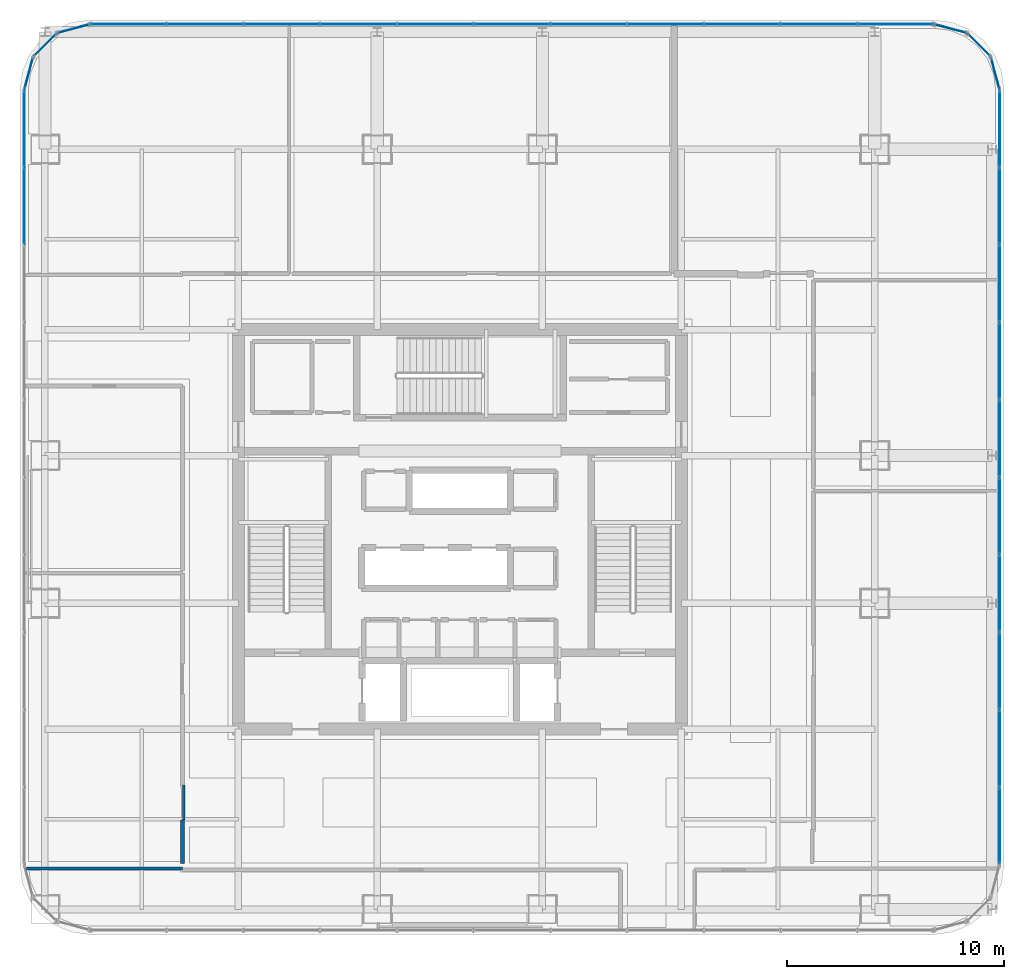
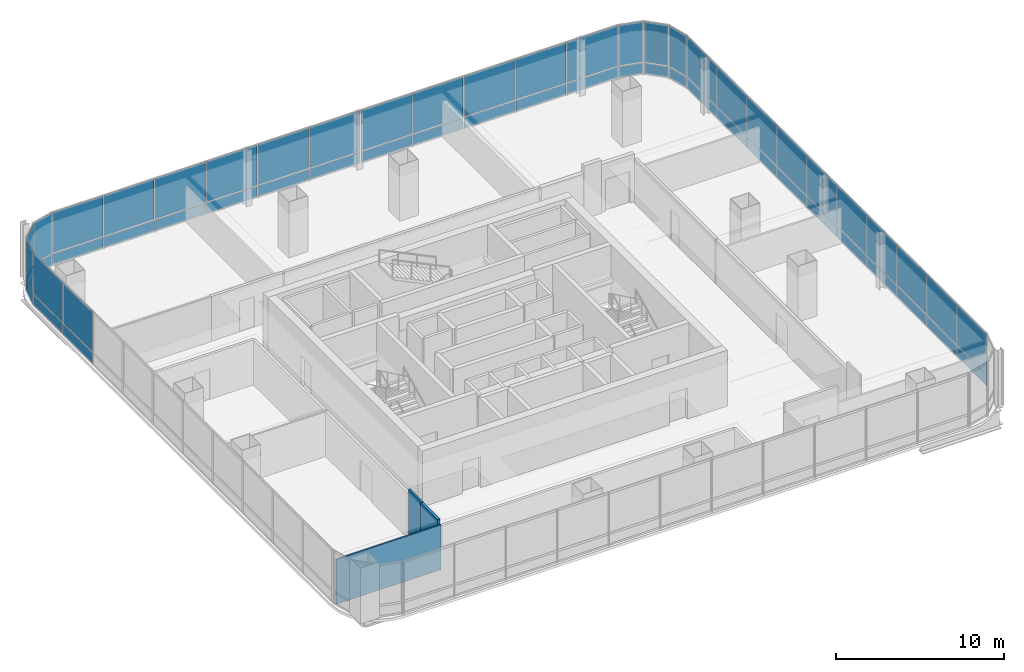
# One storey, part 32 of 40: 58 plates, 3 walls, 9 elements without a shape of their own.
"""IFC4 building model written with IfcOpenShell, lengths in metres."""

import ifcopenshell
import ifcopenshell.guid

model = None  # the IFC model being written
_history = None  # IfcOwnerHistory: only IFC2X3 demands one
_inside = {}  # id of a spatial element -> (the spatial element, [elements in it])
_under = {}  # id of a project, library or spatial element -> (it, [spatial elements below it])
_declared = {}  # id of a project -> (the project, [libraries it declares])
_typed = {}  # id of a type object -> (the type object, [elements of that type])
_made_of = {}  # id of a material, layer set ... -> (it, [elements and type objects made of it])


def new_model(schema):
    """Start an empty IFC model of exactly this schema.

    Asked for "IFC4X3", IfcOpenShell would pick the latest addendum, in which some entities
    have other attributes; the version numbers below select the first issue.
    IFC2X3 requires an IfcOwnerHistory on every rooted entity: one is made here for all.
    """
    global model, _history
    if schema == "IFC4X3":
        model = ifcopenshell.file(schema_version=(4, 3, 0, 0))
    else:
        model = ifcopenshell.file(schema=schema)
    _inside.clear()
    _under.clear()
    _declared.clear()
    _typed.clear()
    _made_of.clear()
    _history = None
    if model.schema == "IFC2X3":
        org = make("IfcOrganization", Name="unknown")
        user = make(
            "IfcPersonAndOrganization",
            ThePerson=make("IfcPerson", FamilyName="unknown"),
            TheOrganization=org,
        )
        app = make(
            "IfcApplication",
            ApplicationDeveloper=org,
            Version="unknown",
            ApplicationFullName="unknown",
            ApplicationIdentifier="unknown",
        )
        _history = make(
            "IfcOwnerHistory",
            OwningUser=user,
            OwningApplication=app,
            ChangeAction="ADDED",
            CreationDate=0,
        )
    return model


def make(cls, **values):
    """One entity of the class cls with the attributes given. An attribute that is None is left unset."""
    return model.create_entity(
        cls, **{name: value for name, value in values.items() if value is not None}
    )


def rooted(cls, **values):
    """An entity with a GlobalId (a new one), such as an element, a storey or a relation."""
    return make(cls, GlobalId=ifcopenshell.guid.new(), OwnerHistory=_history, **values)


def si_unit(unit_type, name, prefix=None):
    """IfcSIUnit, for example si_unit("LENGTHUNIT", "METRE", prefix="MILLI")."""
    return make("IfcSIUnit", UnitType=unit_type, Prefix=prefix, Name=name)


def assignment(units):
    """IfcUnitAssignment: the units of a project."""
    return None if units is None else make("IfcUnitAssignment", Units=units)


def point(xyz):
    """IfcCartesianPoint."""
    return None if xyz is None else make("IfcCartesianPoint", Coordinates=xyz)


def direction(xyz):
    """IfcDirection."""
    return None if xyz is None else make("IfcDirection", DirectionRatios=xyz)


def frame(location, z_axis=None, x_axis=None):
    """IfcAxis2Placement3D, a coordinate frame: its origin and axes. An axis left out is left unset."""
    return make(
        "IfcAxis2Placement3D",
        Location=point(location),
        Axis=direction(z_axis),
        RefDirection=direction(x_axis),
    )


def frame_2d(location, x_axis=None):
    """IfcAxis2Placement2D, a coordinate frame in the plane: its origin and x axis."""
    return make(
        "IfcAxis2Placement2D", Location=point(location), RefDirection=direction(x_axis)
    )


def origin():
    """The frame at (0, 0, 0) with its axes left unset."""
    return frame((0.0, 0.0, 0.0))


def origin_2d():
    """The frame at (0, 0) in the plane with its x axis left unset."""
    return frame_2d((0.0, 0.0))


def place(relative_to, where):
    """IfcLocalPlacement: puts the frame where relative to a parent placement (None: the world)."""
    return make(
        "IfcLocalPlacement", PlacementRelTo=relative_to, RelativePlacement=where
    )


def context(
    kind, dimensions, precision=None, world=None, true_north=None, identifier=None
):
    """IfcGeometricRepresentationContext, for example the 3D "Model" context."""
    return make(
        "IfcGeometricRepresentationContext",
        ContextIdentifier=identifier,
        ContextType=kind,
        CoordinateSpaceDimension=dimensions,
        Precision=precision,
        WorldCoordinateSystem=world,
        TrueNorth=true_north,
    )


def subcontext(parent, identifier, kind, view, scale=None):
    """IfcGeometricRepresentationSubContext, for example "Body" below "Model"."""
    return make(
        "IfcGeometricRepresentationSubContext",
        ContextIdentifier=identifier,
        ContextType=kind,
        ParentContext=parent,
        TargetScale=scale,
        TargetView=view,
    )


def project(units=None, contexts=None):
    """IfcProject with its units and contexts."""
    return rooted(
        "IfcProject",
        Name="project",
        RepresentationContexts=contexts,
        UnitsInContext=assignment(units),
    )


def spatial(cls, under=None, at=None, **own):
    """A site, building, storey or space (cls), placed at a placement, below another one or the project."""
    s = rooted(cls, ObjectPlacement=at, **own)
    if under is not None:
        _under.setdefault(under.id(), (under, []))[1].append(s)
    return s


def profile(cls, at=None, kind="AREA", **sizes):
    """A parametric profile (cls). Its sizes go by their IFC names, for example OverallWidth=200.0."""
    return make(cls, ProfileType=kind, Position=at, **sizes)


def rectangle(**sizes):
    """IfcRectangleProfileDef."""
    return profile("IfcRectangleProfileDef", **sizes)


def extrude(swept, where, along, depth):
    """IfcExtrudedAreaSolid: the profile swept, set in the frame where, extruded along a direction by depth."""
    return make(
        "IfcExtrudedAreaSolid",
        SweptArea=swept,
        Position=where,
        ExtrudedDirection=direction(along),
        Depth=depth,
    )


def shape(context_of_items, identifier, shape_type, items):
    """IfcShapeRepresentation: the items that make up one representation, for example the "Body"."""
    return make(
        "IfcShapeRepresentation",
        ContextOfItems=context_of_items,
        RepresentationIdentifier=identifier,
        RepresentationType=shape_type,
        Items=items,
    )


def material(Name=None, Category=None):
    """IfcMaterial."""
    return make("IfcMaterial", Name=Name, Category=Category)


def layer(
    of_material, thickness, ventilated=None, Name=None, Category=None, Priority=None
):
    """IfcMaterialLayer: one layer of a wall or slab, of a material (None: an air gap)."""
    return make(
        "IfcMaterialLayer",
        Material=of_material,
        LayerThickness=thickness,
        IsVentilated=ventilated,
        Name=Name,
        Category=Category,
        Priority=Priority,
    )


def layer_set(layers, Name=None):
    """IfcMaterialLayerSet."""
    return make("IfcMaterialLayerSet", MaterialLayers=layers, LayerSetName=Name)


def made_of(thing, what):
    """Note that an element or type object is made of a material, layer set ...; save() writes the relation."""
    if what is not None:
        _made_of.setdefault(what.id(), (what, []))[1].append(thing)
    return thing


def type_object(cls, material=None, **own):
    """A type object (cls), such as IfcWallType, which elements share."""
    return made_of(rooted(cls, **own), material)


def element(
    cls,
    number,
    at=None,
    inside=None,
    cuts=None,
    type_object=None,
    material=None,
    context=None,
    identifier="Body",
    shape_type=None,
    held_by="IfcProductDefinitionShape",
    body=None,
    shapes=None,
    **own,
):
    """One element of the class cls, such as IfcWall. Its Tag is "e" and its number.

    at: its placement. inside: the storey or other place that contains it. cuts: it is an
    opening in that element (IfcRelVoidsElement). A single representation is given by context,
    identifier, shape_type and body (its items); several are given by shapes. held_by: the class
    of the entity that holds the representations. save() writes the other relations.
    """
    e = rooted(cls, Tag="e%d" % number, ObjectPlacement=at, **own)
    if body is not None:
        shapes = [shape(context, identifier, shape_type, body)]
    if shapes is not None:
        e.Representation = make(held_by, Representations=shapes)
    if inside is not None:
        _inside.setdefault(inside.id(), (inside, []))[1].append(e)
    if cuts is not None:
        rooted(
            "IfcRelVoidsElement", RelatingBuildingElement=cuts, RelatedOpeningElement=e
        )
    if type_object is not None:
        _typed.setdefault(type_object.id(), (type_object, []))[1].append(e)
    return made_of(e, material)


def aggregate(whole, parts):
    """IfcRelAggregates: a whole, such as a stair, and the parts it consists of."""
    return rooted("IfcRelAggregates", RelatingObject=whole, RelatedObjects=parts)


def save(model, path):
    """Write the relations noted so far, then the file.

    IfcRelAggregates (storeys below a building ...), IfcRelContainedInSpatialStructure (elements
    in a storey), IfcRelDefinesByType, IfcRelAssociatesMaterial and IfcRelDeclares: one each for
    every whole, place, type object, material and project.
    """
    for whole, parts in _under.values():
        aggregate(whole, parts)
    for where, things in _inside.values():
        rooted(
            "IfcRelContainedInSpatialStructure",
            RelatedElements=things,
            RelatingStructure=where,
        )
    for kind, things in _typed.values():
        rooted("IfcRelDefinesByType", RelatedObjects=things, RelatingType=kind)
    for what, things in _made_of.values():
        rooted("IfcRelAssociatesMaterial", RelatedObjects=things, RelatingMaterial=what)
    for by, libraries in _declared.values():
        rooted("IfcRelDeclares", RelatingContext=by, RelatedDefinitions=libraries)
    model.write(path)


model = new_model("IFC4")

# Units and contexts
model_context = context("Model", 3, precision=1e-05, world=origin(), true_north=direction((0.0, 1.0)))
body_context = subcontext(model_context, "Body", "Model", "MODEL_VIEW")
ifc_project = project(units=[si_unit("LENGTHUNIT", "METRE"), si_unit("AREAUNIT", "SQUARE_METRE"), si_unit("VOLUMEUNIT", "CUBIC_METRE"), si_unit("PLANEANGLEUNIT", "RADIAN"), si_unit("MASSUNIT", "GRAM", prefix="KILO")], contexts=[model_context])

# Site, building, storey
site_placement = place(None, origin())
site = spatial("IfcSite", under=ifc_project, at=site_placement, CompositionType="ELEMENT")
building_placement = place(site_placement, origin())
building = spatial("IfcBuilding", under=site, at=building_placement, Name="Punatoya Terracotta Tower", CompositionType="ELEMENT")
storey_placement = place(building_placement, frame((0.0, 0.0, 271.64990234375)))
storey = spatial("IfcBuildingStorey", under=building, at=storey_placement, Name="L64", CompositionType="ELEMENT", Elevation=271.64990234375)

# Curtain wall, plates
ifc_material_1 = material(Name="Aluminium 6063-T6 + Double Low-E Glass", Category="aluminium")
curtain_wall_type = type_object("IfcCurtainWallType", Name="CW-M3", PredefinedType="NOTDEFINED", material=ifc_material_1)
curtain_wall_1_placement = place(storey_placement, origin())
curtain_wall_1 = element("IfcCurtainWall", 1, at=curtain_wall_1_placement, inside=storey, type_object=curtain_wall_type, Name="L64 Curtain Wall CW-L64-E05-1", PredefinedType="NOTDEFINED")
ifc_material_2 = material(Name="Double Low-E Acoustic Vision Glass", Category="glass")
ifc_layer_1 = layer(ifc_material_2, 0.031982421875)
ifc_layer_set_1 = layer_set([ifc_layer_1], Name="Double Low-E Acoustic Vision Glass")
plate_type_1 = type_object("IfcPlateType", Name="PLT-GLZ-32", PredefinedType="CURTAIN_PANEL", material=ifc_layer_set_1)
plate_1_placement = place(storey_placement, frame((24.85009765625, -13.6533203125, 0.89013671875), z_axis=(0.0, 0.0, 1.0), x_axis=(0.0, 1.0, 0.0)))
plate_1 = element("IfcPlate", 2, at=plate_1_placement, type_object=plate_type_1, Name="CW-L64-E05-1 Vision Glass Panel 1", PredefinedType="CURTAIN_PANEL", context=body_context, shape_type="SweptSolid", body=[
    extrude(rectangle(XDim=3.482421875, YDim=0.031982421875, at=origin_2d()), origin(), (0.0, 0.0, 1.0), 2.919921875),
])
plate_2_placement = place(storey_placement, frame((24.85009765625, -10.085693359375, 0.89013671875), z_axis=(0.0, 0.0, 1.0), x_axis=(0.0, 1.0, 0.0)))
plate_2 = element("IfcPlate", 3, at=plate_2_placement, type_object=plate_type_1, Name="CW-L64-E05-1 Vision Glass Panel 2", PredefinedType="CURTAIN_PANEL", context=body_context, shape_type="SweptSolid", body=[
    extrude(rectangle(XDim=3.482421875, YDim=0.031982421875, at=origin_2d()), origin(), (0.0, 0.0, 1.0), 2.919921875),
])
plate_3_placement = place(storey_placement, frame((24.85009765625, -6.518310546875, 0.89013671875), z_axis=(0.0, 0.0, 1.0), x_axis=(0.0, 1.0, 0.0)))
plate_3 = element("IfcPlate", 4, at=plate_3_placement, type_object=plate_type_1, Name="CW-L64-E05-1 Vision Glass Panel 3", PredefinedType="CURTAIN_PANEL", context=body_context, shape_type="SweptSolid", body=[
    extrude(rectangle(XDim=3.482421875, YDim=0.031982421875, at=origin_2d()), origin(), (0.0, 0.0, 1.0), 2.919921875),
])
plate_4_placement = place(storey_placement, frame((24.85009765625, -2.951171875, 0.89013671875), z_axis=(0.0, 0.0, 1.0), x_axis=(0.0, 1.0, 0.0)))
plate_4 = element("IfcPlate", 5, at=plate_4_placement, type_object=plate_type_1, Name="CW-L64-E05-1 Vision Glass Panel 4", PredefinedType="CURTAIN_PANEL", context=body_context, shape_type="SweptSolid", body=[
    extrude(rectangle(XDim=3.482421875, YDim=0.031982421875, at=origin_2d()), origin(), (0.0, 0.0, 1.0), 2.919921875),
])
plate_5_placement = place(storey_placement, frame((24.85009765625, 0.6162109375, 0.89013671875), z_axis=(0.0, 0.0, 1.0), x_axis=(0.0, 1.0, 0.0)))
plate_5 = element("IfcPlate", 6, at=plate_5_placement, type_object=plate_type_1, Name="CW-L64-E05-1 Vision Glass Panel 5", PredefinedType="CURTAIN_PANEL", context=body_context, shape_type="SweptSolid", body=[
    extrude(rectangle(XDim=3.482421875, YDim=0.031982421875, at=origin_2d()), origin(), (0.0, 0.0, 1.0), 2.919921875),
])
plate_6_placement = place(storey_placement, frame((24.85009765625, 4.18359375, 0.89013671875), z_axis=(0.0, 0.0, 1.0), x_axis=(0.0, 1.0, 0.0)))
plate_6 = element("IfcPlate", 7, at=plate_6_placement, type_object=plate_type_1, Name="CW-L64-E05-1 Vision Glass Panel 6", PredefinedType="CURTAIN_PANEL", context=body_context, shape_type="SweptSolid", body=[
    extrude(rectangle(XDim=3.482421875, YDim=0.031982421875, at=origin_2d()), origin(), (0.0, 0.0, 1.0), 2.919921875),
])
plate_7_placement = place(storey_placement, frame((24.85009765625, 7.751220703125, 0.89013671875), z_axis=(0.0, 0.0, 1.0), x_axis=(0.0, 1.0, 0.0)))
plate_7 = element("IfcPlate", 8, at=plate_7_placement, type_object=plate_type_1, Name="CW-L64-E05-1 Vision Glass Panel 7", PredefinedType="CURTAIN_PANEL", context=body_context, shape_type="SweptSolid", body=[
    extrude(rectangle(XDim=3.482421875, YDim=0.031982421875, at=origin_2d()), origin(), (0.0, 0.0, 1.0), 2.919921875),
])
plate_8_placement = place(storey_placement, frame((24.85009765625, 11.318359375, 0.89013671875), z_axis=(0.0, 0.0, 1.0), x_axis=(0.0, 1.0, 0.0)))
plate_8 = element("IfcPlate", 9, at=plate_8_placement, type_object=plate_type_1, Name="CW-L64-E05-1 Vision Glass Panel 8", PredefinedType="CURTAIN_PANEL", context=body_context, shape_type="SweptSolid", body=[
    extrude(rectangle(XDim=3.482421875, YDim=0.031982421875, at=origin_2d()), origin(), (0.0, 0.0, 1.0), 2.919921875),
])
plate_9_placement = place(storey_placement, frame((24.85009765625, 14.8857421875, 0.89013671875), z_axis=(0.0, 0.0, 1.0), x_axis=(0.0, 1.0, 0.0)))
plate_9 = element("IfcPlate", 10, at=plate_9_placement, type_object=plate_type_1, Name="CW-L64-E05-1 Vision Glass Panel 9", PredefinedType="CURTAIN_PANEL", context=body_context, shape_type="SweptSolid", body=[
    extrude(rectangle(XDim=3.482421875, YDim=0.031982421875, at=origin_2d()), origin(), (0.0, 0.0, 1.0), 2.919921875),
])
plate_10_placement = place(storey_placement, frame((24.85009765625, 18.453125, 0.89013671875), z_axis=(0.0, 0.0, 1.0), x_axis=(0.0, 1.0, 0.0)))
plate_10 = element("IfcPlate", 11, at=plate_10_placement, type_object=plate_type_1, Name="CW-L64-E05-1 Vision Glass Panel 10", PredefinedType="CURTAIN_PANEL", context=body_context, shape_type="SweptSolid", body=[
    extrude(rectangle(XDim=3.482421875, YDim=0.031982421875, at=origin_2d()), origin(), (0.0, 0.0, 1.0), 2.919921875),
])

# Curtain wall, plate
curtain_wall_2_placement = place(storey_placement, origin())
curtain_wall_2 = element("IfcCurtainWall", 12, at=curtain_wall_2_placement, inside=storey, type_object=curtain_wall_type, Name="L64 Curtain Wall CW-L64-CRN06", PredefinedType="NOTDEFINED")
plate_11_placement = place(storey_placement, frame((24.648193359375, 20.992919921875, 0.89013671875), z_axis=(0.0, 0.0, 1.0), x_axis=(-0.257741620719, 0.966213877436, 0.0)))
plate_11 = element("IfcPlate", 13, at=plate_11_placement, type_object=plate_type_1, Name="CW-L64-CRN06 Vision Glass Panel 1", PredefinedType="CURTAIN_PANEL", context=body_context, shape_type="SweptSolid", body=[
    extrude(rectangle(XDim=1.47998046875, YDim=0.031982421875, at=origin_2d()), origin(), (0.0, 0.0, 1.0), 2.919921875),
])

curtain_wall_3_placement = place(storey_placement, origin())
curtain_wall_3 = element("IfcCurtainWall", 14, at=curtain_wall_3_placement, inside=storey, type_object=curtain_wall_type, Name="L64 Curtain Wall CW-L64-CRN07", PredefinedType="NOTDEFINED")
plate_12_placement = place(storey_placement, frame((23.89794921875, 22.2978515625, 0.89013671875), z_axis=(0.0, 0.0, 1.0), x_axis=(-0.707106781187, 0.707106781187, 0.0)))
plate_12 = element("IfcPlate", 15, at=plate_12_placement, type_object=plate_type_1, Name="CW-L64-CRN07 Vision Glass Panel 1", PredefinedType="CURTAIN_PANEL", context=body_context, shape_type="SweptSolid", body=[
    extrude(rectangle(XDim=1.467041015625, YDim=0.031982421875, at=origin_2d()), origin(), (0.0, 0.0, 1.0), 2.919921875),
])

curtain_wall_4_placement = place(storey_placement, origin())
curtain_wall_4 = element("IfcCurtainWall", 16, at=curtain_wall_4_placement, inside=storey, type_object=curtain_wall_type, Name="L64 Curtain Wall CW-L64-CRN08", PredefinedType="NOTDEFINED")
plate_13_placement = place(storey_placement, frame((22.593017578125, 23.04833984375, 0.89013671875), z_axis=(0.0, 0.0, 1.0), x_axis=(-0.966213877436, 0.257741620719, 0.0)))
plate_13 = element("IfcPlate", 17, at=plate_13_placement, type_object=plate_type_1, Name="CW-L64-CRN08 Vision Glass Panel 1", PredefinedType="CURTAIN_PANEL", context=body_context, shape_type="SweptSolid", body=[
    extrude(rectangle(XDim=1.47998046875, YDim=0.031982421875, at=origin_2d()), origin(), (0.0, 0.0, 1.0), 2.919921875),
])

# Curtain wall, plates
curtain_wall_5_placement = place(storey_placement, origin())
curtain_wall_5 = element("IfcCurtainWall", 18, at=curtain_wall_5_placement, inside=storey, type_object=curtain_wall_type, Name="L64 Curtain Wall CW-L64-N09-1", PredefinedType="NOTDEFINED")
plate_14_placement = place(storey_placement, frame((20.06982421875, 23.25, 0.89013671875), z_axis=(0.0, 0.0, 1.0), x_axis=(-1.0, 0.0, 0.0)))
plate_14 = element("IfcPlate", 19, at=plate_14_placement, type_object=plate_type_1, Name="CW-L64-N09-1 Vision Glass Panel 1", PredefinedType="CURTAIN_PANEL", context=body_context, shape_type="SweptSolid", body=[
    extrude(rectangle(XDim=3.448974609375, YDim=0.031982421875, at=origin_2d()), origin(), (0.0, 0.0, 1.0), 2.919921875),
])
plate_15_placement = place(storey_placement, frame((16.535888671875, 23.25, 0.89013671875), z_axis=(0.0, 0.0, 1.0), x_axis=(-1.0, 0.0, 0.0)))
plate_15 = element("IfcPlate", 20, at=plate_15_placement, type_object=plate_type_1, Name="CW-L64-N09-1 Vision Glass Panel 2", PredefinedType="CURTAIN_PANEL", context=body_context, shape_type="SweptSolid", body=[
    extrude(rectangle(XDim=3.448974609375, YDim=0.031982421875, at=origin_2d()), origin(), (0.0, 0.0, 1.0), 2.919921875),
])
plate_16_placement = place(storey_placement, frame((13.001953125, 23.25, 0.89013671875), z_axis=(0.0, 0.0, 1.0), x_axis=(-1.0, 0.0, 0.0)))
plate_16 = element("IfcPlate", 21, at=plate_16_placement, type_object=plate_type_1, Name="CW-L64-N09-1 Vision Glass Panel 3", PredefinedType="CURTAIN_PANEL", context=body_context, shape_type="SweptSolid", body=[
    extrude(rectangle(XDim=3.448974609375, YDim=0.031982421875, at=origin_2d()), origin(), (0.0, 0.0, 1.0), 2.919921875),
])
plate_17_placement = place(storey_placement, frame((9.468017578125, 23.25, 0.89013671875), z_axis=(0.0, 0.0, 1.0), x_axis=(-1.0, 0.0, 0.0)))
plate_17 = element("IfcPlate", 22, at=plate_17_placement, type_object=plate_type_1, Name="CW-L64-N09-1 Vision Glass Panel 4", PredefinedType="CURTAIN_PANEL", context=body_context, shape_type="SweptSolid", body=[
    extrude(rectangle(XDim=3.448974609375, YDim=0.031982421875, at=origin_2d()), origin(), (0.0, 0.0, 1.0), 2.919921875),
])
plate_18_placement = place(storey_placement, frame((5.93408203125, 23.25, 0.89013671875), z_axis=(0.0, 0.0, 1.0), x_axis=(-1.0, 0.0, 0.0)))
plate_18 = element("IfcPlate", 23, at=plate_18_placement, type_object=plate_type_1, Name="CW-L64-N09-1 Vision Glass Panel 5", PredefinedType="CURTAIN_PANEL", context=body_context, shape_type="SweptSolid", body=[
    extrude(rectangle(XDim=3.448974609375, YDim=0.031982421875, at=origin_2d()), origin(), (0.0, 0.0, 1.0), 2.919921875),
])
plate_19_placement = place(storey_placement, frame((2.39990234375, 23.25, 0.89013671875), z_axis=(0.0, 0.0, 1.0), x_axis=(-1.0, 0.0, 0.0)))
plate_19 = element("IfcPlate", 24, at=plate_19_placement, type_object=plate_type_1, Name="CW-L64-N09-1 Vision Glass Panel 6", PredefinedType="CURTAIN_PANEL", context=body_context, shape_type="SweptSolid", body=[
    extrude(rectangle(XDim=3.448974609375, YDim=0.031982421875, at=origin_2d()), origin(), (0.0, 0.0, 1.0), 2.919921875),
])
plate_20_placement = place(storey_placement, frame((-1.134033203125, 23.25, 0.89013671875), z_axis=(0.0, 0.0, 1.0), x_axis=(-1.0, 0.0, 0.0)))
plate_20 = element("IfcPlate", 25, at=plate_20_placement, type_object=plate_type_1, Name="CW-L64-N09-1 Vision Glass Panel 7", PredefinedType="CURTAIN_PANEL", context=body_context, shape_type="SweptSolid", body=[
    extrude(rectangle(XDim=3.448974609375, YDim=0.031982421875, at=origin_2d()), origin(), (0.0, 0.0, 1.0), 2.919921875),
])
plate_21_placement = place(storey_placement, frame((-4.66796875, 23.25, 0.89013671875), z_axis=(0.0, 0.0, 1.0), x_axis=(-1.0, 0.0, 0.0)))
plate_21 = element("IfcPlate", 26, at=plate_21_placement, type_object=plate_type_1, Name="CW-L64-N09-1 Vision Glass Panel 8", PredefinedType="CURTAIN_PANEL", context=body_context, shape_type="SweptSolid", body=[
    extrude(rectangle(XDim=3.448974609375, YDim=0.031982421875, at=origin_2d()), origin(), (0.0, 0.0, 1.0), 2.919921875),
])
plate_22_placement = place(storey_placement, frame((-8.201904296875, 23.25, 0.89013671875), z_axis=(0.0, 0.0, 1.0), x_axis=(-1.0, 0.0, 0.0)))
plate_22 = element("IfcPlate", 27, at=plate_22_placement, type_object=plate_type_1, Name="CW-L64-N09-1 Vision Glass Panel 9", PredefinedType="CURTAIN_PANEL", context=body_context, shape_type="SweptSolid", body=[
    extrude(rectangle(XDim=3.448974609375, YDim=0.031982421875, at=origin_2d()), origin(), (0.0, 0.0, 1.0), 2.919921875),
])
plate_23_placement = place(storey_placement, frame((-11.73583984375, 23.25, 0.89013671875), z_axis=(0.0, 0.0, 1.0), x_axis=(-1.0, 0.0, 0.0)))
plate_23 = element("IfcPlate", 28, at=plate_23_placement, type_object=plate_type_1, Name="CW-L64-N09-1 Vision Glass Panel 10", PredefinedType="CURTAIN_PANEL", context=body_context, shape_type="SweptSolid", body=[
    extrude(rectangle(XDim=3.448974609375, YDim=0.031982421875, at=origin_2d()), origin(), (0.0, 0.0, 1.0), 2.919921875),
])
plate_24_placement = place(storey_placement, frame((-15.27001953125, 23.25, 0.89013671875), z_axis=(0.0, 0.0, 1.0), x_axis=(-1.0, 0.0, 0.0)))
plate_24 = element("IfcPlate", 29, at=plate_24_placement, type_object=plate_type_1, Name="CW-L64-N09-1 Vision Glass Panel 11", PredefinedType="CURTAIN_PANEL", context=body_context, shape_type="SweptSolid", body=[
    extrude(rectangle(XDim=3.448974609375, YDim=0.031982421875, at=origin_2d()), origin(), (0.0, 0.0, 1.0), 2.919921875),
])

# Curtain wall, plate
curtain_wall_6_placement = place(storey_placement, origin())
curtain_wall_6 = element("IfcCurtainWall", 30, at=curtain_wall_6_placement, inside=storey, type_object=curtain_wall_type, Name="L64 Curtain Wall CW-L64-CRN10", PredefinedType="NOTDEFINED")
plate_25_placement = place(storey_placement, frame((-17.79296875, 23.04833984375, 0.89013671875), z_axis=(0.0, 0.0, 1.0), x_axis=(-0.966213877436, -0.257741620719, 0.0)))
plate_25 = element("IfcPlate", 31, at=plate_25_placement, type_object=plate_type_1, Name="CW-L64-CRN10 Vision Glass Panel 1", PredefinedType="CURTAIN_PANEL", context=body_context, shape_type="SweptSolid", body=[
    extrude(rectangle(XDim=1.47998046875, YDim=0.031982421875, at=origin_2d()), origin(), (0.0, 0.0, 1.0), 2.919921875),
])

curtain_wall_7_placement = place(storey_placement, origin())
curtain_wall_7 = element("IfcCurtainWall", 32, at=curtain_wall_7_placement, inside=storey, type_object=curtain_wall_type, Name="L64 Curtain Wall CW-L64-CRN11", PredefinedType="NOTDEFINED")
plate_26_placement = place(storey_placement, frame((-19.097900390625, 22.2978515625, 0.89013671875), z_axis=(0.0, 0.0, 1.0), x_axis=(-0.707106781187, -0.707106781187, 0.0)))
plate_26 = element("IfcPlate", 33, at=plate_26_placement, type_object=plate_type_1, Name="CW-L64-CRN11 Vision Glass Panel 1", PredefinedType="CURTAIN_PANEL", context=body_context, shape_type="SweptSolid", body=[
    extrude(rectangle(XDim=1.467041015625, YDim=0.031982421875, at=origin_2d()), origin(), (0.0, 0.0, 1.0), 2.919921875),
])

curtain_wall_8_placement = place(storey_placement, origin())
curtain_wall_8 = element("IfcCurtainWall", 34, at=curtain_wall_8_placement, inside=storey, type_object=curtain_wall_type, Name="L64 Curtain Wall CW-L64-CRN12", PredefinedType="NOTDEFINED")
plate_27_placement = place(storey_placement, frame((-19.848388671875, 20.992919921875, 0.89013671875), z_axis=(0.0, 0.0, 1.0), x_axis=(-0.257741620719, -0.966213877436, 0.0)))
plate_27 = element("IfcPlate", 35, at=plate_27_placement, type_object=plate_type_1, Name="CW-L64-CRN12 Vision Glass Panel 1", PredefinedType="CURTAIN_PANEL", context=body_context, shape_type="SweptSolid", body=[
    extrude(rectangle(XDim=1.47998046875, YDim=0.031982421875, at=origin_2d()), origin(), (0.0, 0.0, 1.0), 2.919921875),
])

# Curtain wall, plates
curtain_wall_9_placement = place(storey_placement, origin())
curtain_wall_9 = element("IfcCurtainWall", 36, at=curtain_wall_9_placement, inside=storey, type_object=curtain_wall_type, Name="L64 Curtain Wall CW-L64-W13-1", PredefinedType="NOTDEFINED")
plate_28_placement = place(storey_placement, frame((-20.050048828125, 18.453125, 0.89013671875), z_axis=(0.0, 0.0, 1.0), x_axis=(0.0, -1.0, 0.0)))
plate_28 = element("IfcPlate", 37, at=plate_28_placement, type_object=plate_type_1, Name="CW-L64-W13-1 Vision Glass Panel 1", PredefinedType="CURTAIN_PANEL", context=body_context, shape_type="SweptSolid", body=[
    extrude(rectangle(XDim=3.482421875, YDim=0.031982421875, at=origin_2d()), origin(), (0.0, 0.0, 1.0), 2.919921875),
])
plate_29_placement = place(storey_placement, frame((-20.050048828125, 14.8857421875, 0.89013671875), z_axis=(0.0, 0.0, 1.0), x_axis=(0.0, -1.0, 0.0)))
plate_29 = element("IfcPlate", 38, at=plate_29_placement, type_object=plate_type_1, Name="CW-L64-W13-1 Vision Glass Panel 2", PredefinedType="CURTAIN_PANEL", context=body_context, shape_type="SweptSolid", body=[
    extrude(rectangle(XDim=3.482421875, YDim=0.031982421875, at=origin_2d()), origin(), (0.0, 0.0, 1.0), 2.919921875),
])

# Plate
ifc_material_3 = material(Name="Insulated Terracotta-Backed Spandrel Panel", Category="masonry")
ifc_layer_2 = layer(ifc_material_3, 0.044921875)
ifc_layer_set_2 = layer_set([ifc_layer_2], Name="Insulated Terracotta-Backed Spandrel Panel")
plate_type_2 = type_object("IfcPlateType", Name="PLT-SPN-45", PredefinedType="CURTAIN_PANEL", material=ifc_layer_set_2)
plate_30_placement = place(storey_placement, frame((24.85009765625, -13.6533203125, 0.0400390625), z_axis=(0.0, 0.0, 1.0), x_axis=(0.0, 1.0, 0.0)))
plate_30 = element("IfcPlate", 39, at=plate_30_placement, type_object=plate_type_2, Name="CW-L64-E05-1 Terracotta Spandrel Panel 1", PredefinedType="CURTAIN_PANEL", context=body_context, shape_type="SweptSolid", body=[
    extrude(rectangle(XDim=3.482421875, YDim=0.044921875, at=origin_2d()), origin(), (0.0, 0.0, 1.0), 0.77490234375),
])

plate_31_placement = place(storey_placement, frame((24.85009765625, -10.085693359375, 0.0400390625), z_axis=(0.0, 0.0, 1.0), x_axis=(0.0, 1.0, 0.0)))
plate_31 = element("IfcPlate", 40, at=plate_31_placement, type_object=plate_type_2, Name="CW-L64-E05-1 Terracotta Spandrel Panel 2", PredefinedType="CURTAIN_PANEL", context=body_context, shape_type="SweptSolid", body=[
    extrude(rectangle(XDim=3.482421875, YDim=0.044921875, at=origin_2d()), origin(), (0.0, 0.0, 1.0), 0.77490234375),
])

plate_32_placement = place(storey_placement, frame((24.85009765625, -6.518310546875, 0.0400390625), z_axis=(0.0, 0.0, 1.0), x_axis=(0.0, 1.0, 0.0)))
plate_32 = element("IfcPlate", 41, at=plate_32_placement, type_object=plate_type_2, Name="CW-L64-E05-1 Terracotta Spandrel Panel 3", PredefinedType="CURTAIN_PANEL", context=body_context, shape_type="SweptSolid", body=[
    extrude(rectangle(XDim=3.482421875, YDim=0.044921875, at=origin_2d()), origin(), (0.0, 0.0, 1.0), 0.77490234375),
])

plate_33_placement = place(storey_placement, frame((24.85009765625, -2.951171875, 0.0400390625), z_axis=(0.0, 0.0, 1.0), x_axis=(0.0, 1.0, 0.0)))
plate_33 = element("IfcPlate", 42, at=plate_33_placement, type_object=plate_type_2, Name="CW-L64-E05-1 Terracotta Spandrel Panel 4", PredefinedType="CURTAIN_PANEL", context=body_context, shape_type="SweptSolid", body=[
    extrude(rectangle(XDim=3.482421875, YDim=0.044921875, at=origin_2d()), origin(), (0.0, 0.0, 1.0), 0.77490234375),
])

plate_34_placement = place(storey_placement, frame((24.85009765625, 0.6162109375, 0.0400390625), z_axis=(0.0, 0.0, 1.0), x_axis=(0.0, 1.0, 0.0)))
plate_34 = element("IfcPlate", 43, at=plate_34_placement, type_object=plate_type_2, Name="CW-L64-E05-1 Terracotta Spandrel Panel 5", PredefinedType="CURTAIN_PANEL", context=body_context, shape_type="SweptSolid", body=[
    extrude(rectangle(XDim=3.482421875, YDim=0.044921875, at=origin_2d()), origin(), (0.0, 0.0, 1.0), 0.77490234375),
])

plate_35_placement = place(storey_placement, frame((24.85009765625, 4.18359375, 0.0400390625), z_axis=(0.0, 0.0, 1.0), x_axis=(0.0, 1.0, 0.0)))
plate_35 = element("IfcPlate", 44, at=plate_35_placement, type_object=plate_type_2, Name="CW-L64-E05-1 Terracotta Spandrel Panel 6", PredefinedType="CURTAIN_PANEL", context=body_context, shape_type="SweptSolid", body=[
    extrude(rectangle(XDim=3.482421875, YDim=0.044921875, at=origin_2d()), origin(), (0.0, 0.0, 1.0), 0.77490234375),
])

plate_36_placement = place(storey_placement, frame((24.85009765625, 7.751220703125, 0.0400390625), z_axis=(0.0, 0.0, 1.0), x_axis=(0.0, 1.0, 0.0)))
plate_36 = element("IfcPlate", 45, at=plate_36_placement, type_object=plate_type_2, Name="CW-L64-E05-1 Terracotta Spandrel Panel 7", PredefinedType="CURTAIN_PANEL", context=body_context, shape_type="SweptSolid", body=[
    extrude(rectangle(XDim=3.482421875, YDim=0.044921875, at=origin_2d()), origin(), (0.0, 0.0, 1.0), 0.77490234375),
])

plate_37_placement = place(storey_placement, frame((24.85009765625, 11.318359375, 0.0400390625), z_axis=(0.0, 0.0, 1.0), x_axis=(0.0, 1.0, 0.0)))
plate_37 = element("IfcPlate", 46, at=plate_37_placement, type_object=plate_type_2, Name="CW-L64-E05-1 Terracotta Spandrel Panel 8", PredefinedType="CURTAIN_PANEL", context=body_context, shape_type="SweptSolid", body=[
    extrude(rectangle(XDim=3.482421875, YDim=0.044921875, at=origin_2d()), origin(), (0.0, 0.0, 1.0), 0.77490234375),
])

plate_38_placement = place(storey_placement, frame((24.85009765625, 14.8857421875, 0.0400390625), z_axis=(0.0, 0.0, 1.0), x_axis=(0.0, 1.0, 0.0)))
plate_38 = element("IfcPlate", 47, at=plate_38_placement, type_object=plate_type_2, Name="CW-L64-E05-1 Terracotta Spandrel Panel 9", PredefinedType="CURTAIN_PANEL", context=body_context, shape_type="SweptSolid", body=[
    extrude(rectangle(XDim=3.482421875, YDim=0.044921875, at=origin_2d()), origin(), (0.0, 0.0, 1.0), 0.77490234375),
])

plate_39_placement = place(storey_placement, frame((24.85009765625, 18.453125, 0.0400390625), z_axis=(0.0, 0.0, 1.0), x_axis=(0.0, 1.0, 0.0)))
plate_39 = element("IfcPlate", 48, at=plate_39_placement, type_object=plate_type_2, Name="CW-L64-E05-1 Terracotta Spandrel Panel 10", PredefinedType="CURTAIN_PANEL", context=body_context, shape_type="SweptSolid", body=[
    extrude(rectangle(XDim=3.482421875, YDim=0.044921875, at=origin_2d()), origin(), (0.0, 0.0, 1.0), 0.77490234375),
])

aggregate(curtain_wall_1, [plate_30, plate_1, plate_31, plate_2, plate_32, plate_3, plate_33, plate_4, plate_34, plate_5, plate_35, plate_6, plate_36, plate_7, plate_37, plate_8, plate_38, plate_9, plate_39, plate_10])

plate_40_placement = place(storey_placement, frame((24.648193359375, 20.992919921875, 0.0400390625), z_axis=(0.0, 0.0, 1.0), x_axis=(-0.257741620719, 0.966213877436, 0.0)))
plate_40 = element("IfcPlate", 49, at=plate_40_placement, type_object=plate_type_2, Name="CW-L64-CRN06 Terracotta Spandrel Panel 1", PredefinedType="CURTAIN_PANEL", context=body_context, shape_type="SweptSolid", body=[
    extrude(rectangle(XDim=1.47998046875, YDim=0.044921875, at=origin_2d()), origin(), (0.0, 0.0, 1.0), 0.77490234375),
])

aggregate(curtain_wall_2, [plate_40, plate_11])

plate_41_placement = place(storey_placement, frame((23.89794921875, 22.2978515625, 0.0400390625), z_axis=(0.0, 0.0, 1.0), x_axis=(-0.707106781187, 0.707106781187, 0.0)))
plate_41 = element("IfcPlate", 50, at=plate_41_placement, type_object=plate_type_2, Name="CW-L64-CRN07 Terracotta Spandrel Panel 1", PredefinedType="CURTAIN_PANEL", context=body_context, shape_type="SweptSolid", body=[
    extrude(rectangle(XDim=1.467041015625, YDim=0.044921875, at=origin_2d()), origin(), (0.0, 0.0, 1.0), 0.77490234375),
])

aggregate(curtain_wall_3, [plate_41, plate_12])

plate_42_placement = place(storey_placement, frame((22.593017578125, 23.04833984375, 0.0400390625), z_axis=(0.0, 0.0, 1.0), x_axis=(-0.966213877436, 0.257741620719, 0.0)))
plate_42 = element("IfcPlate", 51, at=plate_42_placement, type_object=plate_type_2, Name="CW-L64-CRN08 Terracotta Spandrel Panel 1", PredefinedType="CURTAIN_PANEL", context=body_context, shape_type="SweptSolid", body=[
    extrude(rectangle(XDim=1.47998046875, YDim=0.044921875, at=origin_2d()), origin(), (0.0, 0.0, 1.0), 0.77490234375),
])

aggregate(curtain_wall_4, [plate_42, plate_13])

plate_43_placement = place(storey_placement, frame((20.06982421875, 23.25, 0.0400390625), z_axis=(0.0, 0.0, 1.0), x_axis=(-1.0, 0.0, 0.0)))
plate_43 = element("IfcPlate", 52, at=plate_43_placement, type_object=plate_type_2, Name="CW-L64-N09-1 Terracotta Spandrel Panel 1", PredefinedType="CURTAIN_PANEL", context=body_context, shape_type="SweptSolid", body=[
    extrude(rectangle(XDim=3.448974609375, YDim=0.044921875, at=origin_2d()), origin(), (0.0, 0.0, 1.0), 0.77490234375),
])

plate_44_placement = place(storey_placement, frame((16.535888671875, 23.25, 0.0400390625), z_axis=(0.0, 0.0, 1.0), x_axis=(-1.0, 0.0, 0.0)))
plate_44 = element("IfcPlate", 53, at=plate_44_placement, type_object=plate_type_2, Name="CW-L64-N09-1 Terracotta Spandrel Panel 2", PredefinedType="CURTAIN_PANEL", context=body_context, shape_type="SweptSolid", body=[
    extrude(rectangle(XDim=3.448974609375, YDim=0.044921875, at=origin_2d()), origin(), (0.0, 0.0, 1.0), 0.77490234375),
])

plate_45_placement = place(storey_placement, frame((13.001953125, 23.25, 0.0400390625), z_axis=(0.0, 0.0, 1.0), x_axis=(-1.0, 0.0, 0.0)))
plate_45 = element("IfcPlate", 54, at=plate_45_placement, type_object=plate_type_2, Name="CW-L64-N09-1 Terracotta Spandrel Panel 3", PredefinedType="CURTAIN_PANEL", context=body_context, shape_type="SweptSolid", body=[
    extrude(rectangle(XDim=3.448974609375, YDim=0.044921875, at=origin_2d()), origin(), (0.0, 0.0, 1.0), 0.77490234375),
])

plate_46_placement = place(storey_placement, frame((9.468017578125, 23.25, 0.0400390625), z_axis=(0.0, 0.0, 1.0), x_axis=(-1.0, 0.0, 0.0)))
plate_46 = element("IfcPlate", 55, at=plate_46_placement, type_object=plate_type_2, Name="CW-L64-N09-1 Terracotta Spandrel Panel 4", PredefinedType="CURTAIN_PANEL", context=body_context, shape_type="SweptSolid", body=[
    extrude(rectangle(XDim=3.448974609375, YDim=0.044921875, at=origin_2d()), origin(), (0.0, 0.0, 1.0), 0.77490234375),
])

plate_47_placement = place(storey_placement, frame((5.93408203125, 23.25, 0.0400390625), z_axis=(0.0, 0.0, 1.0), x_axis=(-1.0, 0.0, 0.0)))
plate_47 = element("IfcPlate", 56, at=plate_47_placement, type_object=plate_type_2, Name="CW-L64-N09-1 Terracotta Spandrel Panel 5", PredefinedType="CURTAIN_PANEL", context=body_context, shape_type="SweptSolid", body=[
    extrude(rectangle(XDim=3.448974609375, YDim=0.044921875, at=origin_2d()), origin(), (0.0, 0.0, 1.0), 0.77490234375),
])

plate_48_placement = place(storey_placement, frame((2.39990234375, 23.25, 0.0400390625), z_axis=(0.0, 0.0, 1.0), x_axis=(-1.0, 0.0, 0.0)))
plate_48 = element("IfcPlate", 57, at=plate_48_placement, type_object=plate_type_2, Name="CW-L64-N09-1 Terracotta Spandrel Panel 6", PredefinedType="CURTAIN_PANEL", context=body_context, shape_type="SweptSolid", body=[
    extrude(rectangle(XDim=3.448974609375, YDim=0.044921875, at=origin_2d()), origin(), (0.0, 0.0, 1.0), 0.77490234375),
])

plate_49_placement = place(storey_placement, frame((-1.134033203125, 23.25, 0.0400390625), z_axis=(0.0, 0.0, 1.0), x_axis=(-1.0, 0.0, 0.0)))
plate_49 = element("IfcPlate", 58, at=plate_49_placement, type_object=plate_type_2, Name="CW-L64-N09-1 Terracotta Spandrel Panel 7", PredefinedType="CURTAIN_PANEL", context=body_context, shape_type="SweptSolid", body=[
    extrude(rectangle(XDim=3.448974609375, YDim=0.044921875, at=origin_2d()), origin(), (0.0, 0.0, 1.0), 0.77490234375),
])

plate_50_placement = place(storey_placement, frame((-4.66796875, 23.25, 0.0400390625), z_axis=(0.0, 0.0, 1.0), x_axis=(-1.0, 0.0, 0.0)))
plate_50 = element("IfcPlate", 59, at=plate_50_placement, type_object=plate_type_2, Name="CW-L64-N09-1 Terracotta Spandrel Panel 8", PredefinedType="CURTAIN_PANEL", context=body_context, shape_type="SweptSolid", body=[
    extrude(rectangle(XDim=3.448974609375, YDim=0.044921875, at=origin_2d()), origin(), (0.0, 0.0, 1.0), 0.77490234375),
])

plate_51_placement = place(storey_placement, frame((-8.201904296875, 23.25, 0.0400390625), z_axis=(0.0, 0.0, 1.0), x_axis=(-1.0, 0.0, 0.0)))
plate_51 = element("IfcPlate", 60, at=plate_51_placement, type_object=plate_type_2, Name="CW-L64-N09-1 Terracotta Spandrel Panel 9", PredefinedType="CURTAIN_PANEL", context=body_context, shape_type="SweptSolid", body=[
    extrude(rectangle(XDim=3.448974609375, YDim=0.044921875, at=origin_2d()), origin(), (0.0, 0.0, 1.0), 0.77490234375),
])

plate_52_placement = place(storey_placement, frame((-11.73583984375, 23.25, 0.0400390625), z_axis=(0.0, 0.0, 1.0), x_axis=(-1.0, 0.0, 0.0)))
plate_52 = element("IfcPlate", 61, at=plate_52_placement, type_object=plate_type_2, Name="CW-L64-N09-1 Terracotta Spandrel Panel 10", PredefinedType="CURTAIN_PANEL", context=body_context, shape_type="SweptSolid", body=[
    extrude(rectangle(XDim=3.448974609375, YDim=0.044921875, at=origin_2d()), origin(), (0.0, 0.0, 1.0), 0.77490234375),
])

plate_53_placement = place(storey_placement, frame((-15.27001953125, 23.25, 0.0400390625), z_axis=(0.0, 0.0, 1.0), x_axis=(-1.0, 0.0, 0.0)))
plate_53 = element("IfcPlate", 62, at=plate_53_placement, type_object=plate_type_2, Name="CW-L64-N09-1 Terracotta Spandrel Panel 11", PredefinedType="CURTAIN_PANEL", context=body_context, shape_type="SweptSolid", body=[
    extrude(rectangle(XDim=3.448974609375, YDim=0.044921875, at=origin_2d()), origin(), (0.0, 0.0, 1.0), 0.77490234375),
])

aggregate(curtain_wall_5, [plate_43, plate_14, plate_44, plate_15, plate_45, plate_16, plate_46, plate_17, plate_47, plate_18, plate_48, plate_19, plate_49, plate_20, plate_50, plate_21, plate_51, plate_22, plate_52, plate_23, plate_53, plate_24])

plate_54_placement = place(storey_placement, frame((-17.79296875, 23.04833984375, 0.0400390625), z_axis=(0.0, 0.0, 1.0), x_axis=(-0.966213877436, -0.257741620719, 0.0)))
plate_54 = element("IfcPlate", 63, at=plate_54_placement, type_object=plate_type_2, Name="CW-L64-CRN10 Terracotta Spandrel Panel 1", PredefinedType="CURTAIN_PANEL", context=body_context, shape_type="SweptSolid", body=[
    extrude(rectangle(XDim=1.47998046875, YDim=0.044921875, at=origin_2d()), origin(), (0.0, 0.0, 1.0), 0.77490234375),
])

aggregate(curtain_wall_6, [plate_54, plate_25])

plate_55_placement = place(storey_placement, frame((-19.097900390625, 22.2978515625, 0.0400390625), z_axis=(0.0, 0.0, 1.0), x_axis=(-0.707106781187, -0.707106781187, 0.0)))
plate_55 = element("IfcPlate", 64, at=plate_55_placement, type_object=plate_type_2, Name="CW-L64-CRN11 Terracotta Spandrel Panel 1", PredefinedType="CURTAIN_PANEL", context=body_context, shape_type="SweptSolid", body=[
    extrude(rectangle(XDim=1.467041015625, YDim=0.044921875, at=origin_2d()), origin(), (0.0, 0.0, 1.0), 0.77490234375),
])

aggregate(curtain_wall_7, [plate_55, plate_26])

plate_56_placement = place(storey_placement, frame((-19.848388671875, 20.992919921875, 0.0400390625), z_axis=(0.0, 0.0, 1.0), x_axis=(-0.257741620719, -0.966213877436, 0.0)))
plate_56 = element("IfcPlate", 65, at=plate_56_placement, type_object=plate_type_2, Name="CW-L64-CRN12 Terracotta Spandrel Panel 1", PredefinedType="CURTAIN_PANEL", context=body_context, shape_type="SweptSolid", body=[
    extrude(rectangle(XDim=1.47998046875, YDim=0.044921875, at=origin_2d()), origin(), (0.0, 0.0, 1.0), 0.77490234375),
])

aggregate(curtain_wall_8, [plate_56, plate_27])

plate_57_placement = place(storey_placement, frame((-20.050048828125, 18.453125, 0.0400390625), z_axis=(0.0, 0.0, 1.0), x_axis=(0.0, -1.0, 0.0)))
plate_57 = element("IfcPlate", 66, at=plate_57_placement, type_object=plate_type_2, Name="CW-L64-W13-1 Terracotta Spandrel Panel 1", PredefinedType="CURTAIN_PANEL", context=body_context, shape_type="SweptSolid", body=[
    extrude(rectangle(XDim=3.482421875, YDim=0.044921875, at=origin_2d()), origin(), (0.0, 0.0, 1.0), 0.77490234375),
])

plate_58_placement = place(storey_placement, frame((-20.050048828125, 14.8857421875, 0.0400390625), z_axis=(0.0, 0.0, 1.0), x_axis=(0.0, -1.0, 0.0)))
plate_58 = element("IfcPlate", 67, at=plate_58_placement, type_object=plate_type_2, Name="CW-L64-W13-1 Terracotta Spandrel Panel 2", PredefinedType="CURTAIN_PANEL", context=body_context, shape_type="SweptSolid", body=[
    extrude(rectangle(XDim=3.482421875, YDim=0.044921875, at=origin_2d()), origin(), (0.0, 0.0, 1.0), 0.77490234375),
])

aggregate(curtain_wall_9, [plate_57, plate_28, plate_58, plate_29])

# Walls
ifc_material_4 = material(Name="Gypsum Fireboard + Steel Stud", Category="steel")
ifc_layer_3 = layer(ifc_material_4, 0.179931640625)
ifc_layer_set_3 = layer_set([ifc_layer_3], Name="Gypsum Fireboard + Steel Stud")
wall_type_1 = type_object("IfcWallType", Name="WL-CORR-180", PredefinedType="PARTITIONING", material=ifc_layer_set_3)
wall_1_placement = place(storey_placement, frame((-12.77001953125, -13.3798828125, 0.0), z_axis=(0.0, 0.0, 1.0), x_axis=(0.0, -1.0, 0.0)))
element("IfcWall", 68, at=wall_1_placement, inside=storey, type_object=wall_type_1, Name="L64 Open-Plan Cultural History Classroom Partition 41", PredefinedType="PARTITIONING", context=body_context, shape_type="SweptSolid", body=[
    extrude(rectangle(XDim=2.010009765625, YDim=0.179931640625, at=frame_2d((1.0048828125, 0.0))), origin(), (0.0, 0.0, 1.0), 3.484130859375),
])
ifc_material_5 = material(Name="Gypsum Partition + Steel Stud", Category="steel")
ifc_layer_4 = layer(ifc_material_5, 0.1201171875)
ifc_layer_set_4 = layer_set([ifc_layer_4], Name="Gypsum Partition + Steel Stud")
wall_type_2 = type_object("IfcWallType", Name="WL-OFF-120", PredefinedType="PARTITIONING", material=ifc_layer_set_4)
wall_2_placement = place(storey_placement, frame((-19.946533203125, -15.610107421875, 0.0), z_axis=(0.0, 0.0, 1.0), x_axis=(1.0, 0.0, 0.0)))
element("IfcWall", 69, at=wall_2_placement, inside=storey, type_object=wall_type_2, Name="L64 Open-Plan Staff Wellness Studio Partition 32", PredefinedType="PARTITIONING", context=body_context, shape_type="SweptSolid", body=[
    extrude(rectangle(XDim=7.176513671875, YDim=0.1201171875, at=frame_2d((3.58837890625, 0.0))), origin(), (0.0, 0.0, 1.0), 3.244140625),
])
wall_3_placement = place(storey_placement, frame((-12.7099609375, -11.77001953125, 0.0), z_axis=(0.0, 0.0, 1.0), x_axis=(0.0, -1.0, 0.0)))
element("IfcWall", 70, at=wall_3_placement, inside=storey, type_object=wall_type_2, Name="L64 Open-Plan Cultural History Classroom Partition 40", PredefinedType="PARTITIONING", context=body_context, shape_type="SweptSolid", body=[
    extrude(rectangle(XDim=1.60986328125, YDim=0.1201171875, at=frame_2d((0.804931640625, 0.0))), origin(), (0.0, 0.0, 1.0), 3.484130859375),
])

save(model, "model.ifc")
